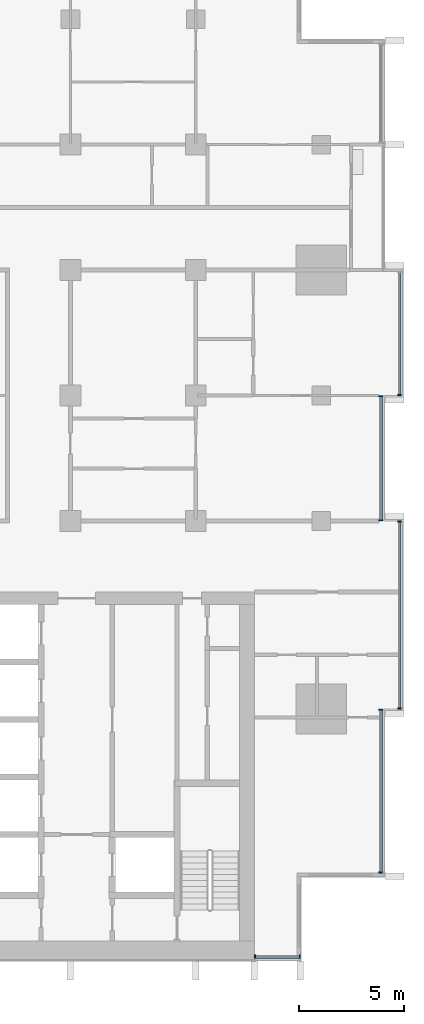
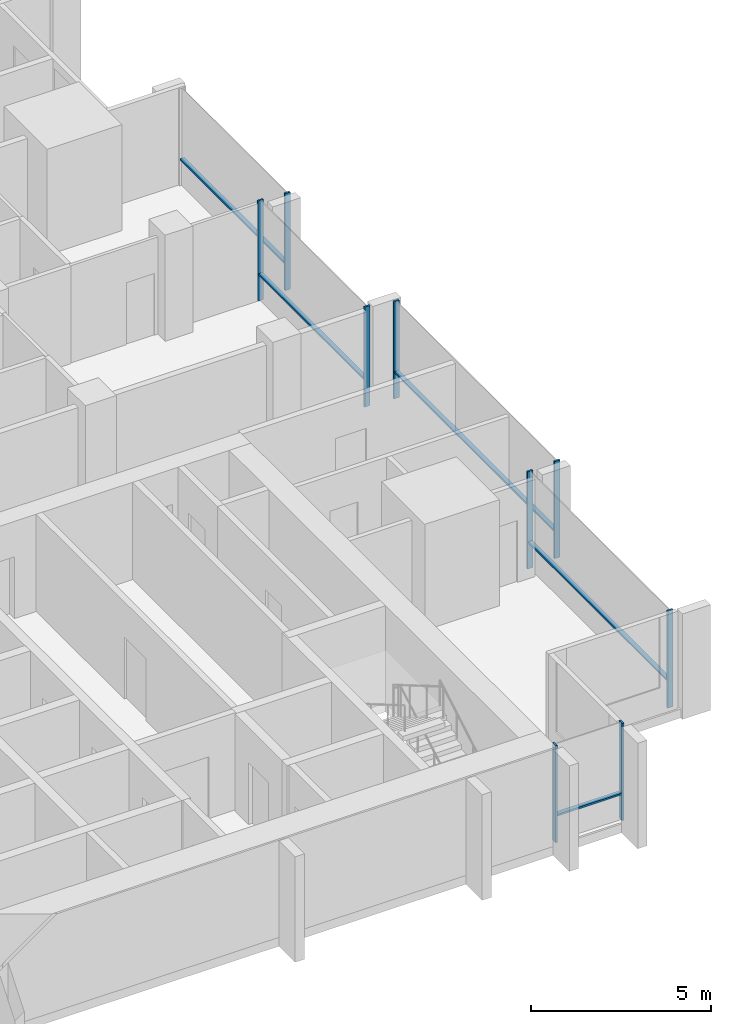
# One storey, part 3 of 17: 14 members, 5 elements without a shape of their own.
"""IFC4 building model written with IfcOpenShell, lengths in metres."""

from ifc_helpers import new_model, si_unit, direction, frame, origin, origin_2d, place, context, subcontext, project, spatial, rectangle, extrude, material, material_profile, profile_set, type_object, element, aggregate, save


model = new_model("IFC4")

# Units and contexts
model_context = context("Model", 3, precision=1e-05, world=origin(), true_north=direction((0.0, 1.0)))
body_context = subcontext(model_context, "Body", "Model", "MODEL_VIEW")
ifc_project = project(units=[si_unit("LENGTHUNIT", "METRE"), si_unit("AREAUNIT", "SQUARE_METRE"), si_unit("VOLUMEUNIT", "CUBIC_METRE"), si_unit("PLANEANGLEUNIT", "RADIAN"), si_unit("MASSUNIT", "GRAM", prefix="KILO")], contexts=[model_context])

# Site, building, storey
site_placement = place(None, origin())
site = spatial("IfcSite", under=ifc_project, at=site_placement, CompositionType="ELEMENT")
building_placement = place(site_placement, origin())
building = spatial("IfcBuilding", under=site, at=building_placement, Name="Finial Court Residences", CompositionType="ELEMENT")
storey_placement = place(building_placement, frame((0.0, 0.0, 192.5)))
storey = spatial("IfcBuildingStorey", under=building, at=storey_placement, Name="L48", CompositionType="ELEMENT", Elevation=192.5)

# Curtain wall, members
ifc_material = material(Name="Bronze anodised aluminium", Category="aluminium")
curtain_wall_type = type_object("IfcCurtainWallType", Name="Unitised curtain wall, upper zones", PredefinedType="NOTDEFINED", material=ifc_material)
curtain_wall_1_placement = place(storey_placement, origin())
curtain_wall_1 = element("IfcCurtainWall", 1, at=curtain_wall_1_placement, inside=storey, type_object=curtain_wall_type, Name="E-L48-CW-E4", PredefinedType="NOTDEFINED")
ifc_material_profile_1 = material_profile(ifc_material, rectangle(XDim=0.175048828125, YDim=0.06005859375, at=origin_2d()), Name="CW2 mullion 60 x 175")
ifc_profile_set_1 = profile_set([ifc_material_profile_1], Name="Bronze anodised aluminium")
member_type_1 = type_object("IfcMemberType", Name="CW2 mullion 60 x 175", PredefinedType="MULLION", material=ifc_profile_set_1)
member_1_placement = place(storey_placement, frame((19.35009765625, -21.320068359375, 0.0), z_axis=(0.0, 0.0, 1.0), x_axis=(-1.0, 0.0, 0.0)))
member_1 = element("IfcMember", 2, at=member_1_placement, type_object=member_type_1, Name="CW2 mullion 1", PredefinedType="MULLION", context=body_context, shape_type="SweptSolid", body=[
    extrude(rectangle(XDim=0.175048828125, YDim=0.06005859375, at=origin_2d()), origin(), (0.0, 0.0, 1.0), 3.300048828125),
])
member_2_placement = place(storey_placement, frame((19.35009765625, -13.530029296875, 0.0), z_axis=(0.0, 0.0, 1.0), x_axis=(-1.0, 0.0, 0.0)))
member_2 = element("IfcMember", 3, at=member_2_placement, type_object=member_type_1, Name="CW2 mullion 2", PredefinedType="MULLION", context=body_context, shape_type="SweptSolid", body=[
    extrude(rectangle(XDim=0.175048828125, YDim=0.06005859375, at=origin_2d()), origin(), (0.0, 0.0, 1.0), 3.300048828125),
])

curtain_wall_2_placement = place(storey_placement, origin())
curtain_wall_2 = element("IfcCurtainWall", 4, at=curtain_wall_2_placement, inside=storey, type_object=curtain_wall_type, Name="E-L48-CW-E5", PredefinedType="NOTDEFINED")
member_3_placement = place(storey_placement, frame((20.25, -13.469970703125, 0.0), z_axis=(0.0, 0.0, 1.0), x_axis=(-1.0, 0.0, 0.0)))
member_3 = element("IfcMember", 5, at=member_3_placement, type_object=member_type_1, Name="CW2 mullion 1", PredefinedType="MULLION", context=body_context, shape_type="SweptSolid", body=[
    extrude(rectangle(XDim=0.175048828125, YDim=0.06005859375, at=origin_2d()), origin(), (0.0, 0.0, 1.0), 3.300048828125),
])
member_4_placement = place(storey_placement, frame((20.25, -4.530029296875, 0.0), z_axis=(0.0, 0.0, 1.0), x_axis=(-1.0, 0.0, 0.0)))
member_4 = element("IfcMember", 6, at=member_4_placement, type_object=member_type_1, Name="CW2 mullion 2", PredefinedType="MULLION", context=body_context, shape_type="SweptSolid", body=[
    extrude(rectangle(XDim=0.175048828125, YDim=0.06005859375, at=origin_2d()), origin(), (0.0, 0.0, 1.0), 3.300048828125),
])

curtain_wall_3_placement = place(storey_placement, origin())
curtain_wall_3 = element("IfcCurtainWall", 7, at=curtain_wall_3_placement, inside=storey, type_object=curtain_wall_type, Name="E-L48-CW-E6", PredefinedType="NOTDEFINED")
member_5_placement = place(storey_placement, frame((19.35009765625, -4.469970703125, 0.0), z_axis=(0.0, 0.0, 1.0), x_axis=(-1.0, 0.0, 0.0)))
member_5 = element("IfcMember", 8, at=member_5_placement, type_object=member_type_1, Name="CW2 mullion 1", PredefinedType="MULLION", context=body_context, shape_type="SweptSolid", body=[
    extrude(rectangle(XDim=0.175048828125, YDim=0.06005859375, at=origin_2d()), origin(), (0.0, 0.0, 1.0), 3.39990234375),
])
member_6_placement = place(storey_placement, frame((19.35009765625, 1.469970703125, 0.0), z_axis=(0.0, 0.0, 1.0), x_axis=(-1.0, 0.0, 0.0)))
member_6 = element("IfcMember", 9, at=member_6_placement, type_object=member_type_1, Name="CW2 mullion 2", PredefinedType="MULLION", context=body_context, shape_type="SweptSolid", body=[
    extrude(rectangle(XDim=0.175048828125, YDim=0.06005859375, at=origin_2d()), origin(), (0.0, 0.0, 1.0), 3.39990234375),
])

# Curtain wall, member
curtain_wall_4_placement = place(storey_placement, origin())
curtain_wall_4 = element("IfcCurtainWall", 10, at=curtain_wall_4_placement, inside=storey, type_object=curtain_wall_type, Name="E-L48-CW-E7", PredefinedType="NOTDEFINED")
member_7_placement = place(storey_placement, frame((20.25, 1.530029296875, 0.0), z_axis=(0.0, 0.0, 1.0), x_axis=(-1.0, 0.0, 0.0)))
member_7 = element("IfcMember", 11, at=member_7_placement, type_object=member_type_1, Name="CW2 mullion 1", PredefinedType="MULLION", context=body_context, shape_type="SweptSolid", body=[
    extrude(rectangle(XDim=0.175048828125, YDim=0.06005859375, at=origin_2d()), origin(), (0.0, 0.0, 1.0), 3.300048828125),
])

# Curtain wall, members
curtain_wall_5_placement = place(storey_placement, origin())
curtain_wall_5 = element("IfcCurtainWall", 12, at=curtain_wall_5_placement, inside=storey, type_object=curtain_wall_type, Name="E-L48-CW-S10", PredefinedType="NOTDEFINED")
member_8_placement = place(storey_placement, frame((13.330078125, -25.35009765625, 0.0), z_axis=(0.0, 0.0, 1.0), x_axis=(0.0, 1.0, 0.0)))
member_8 = element("IfcMember", 13, at=member_8_placement, type_object=member_type_1, Name="CW2 mullion 1", PredefinedType="MULLION", context=body_context, shape_type="SweptSolid", body=[
    extrude(rectangle(XDim=0.175048828125, YDim=0.06005859375, at=origin_2d()), origin(), (0.0, 0.0, 1.0), 3.300048828125),
])
member_9_placement = place(storey_placement, frame((15.469970703125, -25.35009765625, 0.0), z_axis=(0.0, 0.0, 1.0), x_axis=(0.0, 1.0, 0.0)))
member_9 = element("IfcMember", 14, at=member_9_placement, type_object=member_type_1, Name="CW2 mullion 2", PredefinedType="MULLION", context=body_context, shape_type="SweptSolid", body=[
    extrude(rectangle(XDim=0.175048828125, YDim=0.06005859375, at=origin_2d()), origin(), (0.0, 0.0, 1.0), 3.300048828125),
])

# Member
ifc_material_profile_2 = material_profile(ifc_material, rectangle(XDim=0.139892578125, YDim=0.06005859375, at=origin_2d()), Name="CW2 transom 60 x 140")
ifc_profile_set_2 = profile_set([ifc_material_profile_2], Name="Bronze anodised aluminium")
member_type_2 = type_object("IfcMemberType", Name="CW2 transom 60 x 140", PredefinedType="USERDEFINED", material=ifc_profile_set_2)
member_10_placement = place(storey_placement, frame((19.35009765625, -21.2900390625, 0.89990234375), z_axis=(0.0, 1.0, 0.0), x_axis=(-1.0, 0.0, 0.0)))
member_10 = element("IfcMember", 15, at=member_10_placement, type_object=member_type_2, Name="CW2 transom 1.1", ObjectType="TRANSOM", PredefinedType="USERDEFINED", context=body_context, shape_type="SweptSolid", body=[
    extrude(rectangle(XDim=0.139892578125, YDim=0.06005859375, at=origin_2d()), origin(), (0.0, 0.0, 1.0), 7.72998046875),
])

aggregate(curtain_wall_1, [member_1, member_2, member_10])

member_11_placement = place(storey_placement, frame((20.25, -13.43994140625, 0.89990234375), z_axis=(0.0, 1.0, 0.0), x_axis=(-1.0, 0.0, 0.0)))
member_11 = element("IfcMember", 16, at=member_11_placement, type_object=member_type_2, Name="CW2 transom 1.1", ObjectType="TRANSOM", PredefinedType="USERDEFINED", context=body_context, shape_type="SweptSolid", body=[
    extrude(rectangle(XDim=0.139892578125, YDim=0.06005859375, at=origin_2d()), origin(), (0.0, 0.0, 1.0), 8.8798828125),
])

aggregate(curtain_wall_2, [member_3, member_4, member_11])

member_12_placement = place(storey_placement, frame((19.35009765625, -4.43994140625, 0.89990234375), z_axis=(0.0, 1.0, 0.0), x_axis=(-1.0, 0.0, 0.0)))
member_12 = element("IfcMember", 17, at=member_12_placement, type_object=member_type_2, Name="CW2 transom 1.1", ObjectType="TRANSOM", PredefinedType="USERDEFINED", context=body_context, shape_type="SweptSolid", body=[
    extrude(rectangle(XDim=0.139892578125, YDim=0.06005859375, at=origin_2d()), origin(), (0.0, 0.0, 1.0), 5.8798828125),
])

aggregate(curtain_wall_3, [member_5, member_6, member_12])

member_13_placement = place(storey_placement, frame((20.25, 1.56005859375, 0.89990234375), z_axis=(0.0, 1.0, 0.0), x_axis=(-1.0, 0.0, 0.0)))
member_13 = element("IfcMember", 18, at=member_13_placement, type_object=member_type_2, Name="CW2 transom 1.1", ObjectType="TRANSOM", PredefinedType="USERDEFINED", context=body_context, shape_type="SweptSolid", body=[
    extrude(rectangle(XDim=0.139892578125, YDim=0.06005859375, at=origin_2d()), origin(), (0.0, 0.0, 1.0), 5.804931640625),
])

aggregate(curtain_wall_4, [member_7, member_13])

member_14_placement = place(storey_placement, frame((13.360107421875, -25.35009765625, 0.89990234375), z_axis=(1.0, 0.0, 0.0), x_axis=(0.0, 1.0, 0.0)))
member_14 = element("IfcMember", 19, at=member_14_placement, type_object=member_type_2, Name="CW2 transom 1.1", ObjectType="TRANSOM", PredefinedType="USERDEFINED", context=body_context, shape_type="SweptSolid", body=[
    extrude(rectangle(XDim=0.139892578125, YDim=0.06005859375, at=origin_2d()), origin(), (0.0, 0.0, 1.0), 2.079833984375),
])

aggregate(curtain_wall_5, [member_8, member_9, member_14])

save(model, "model.ifc")
